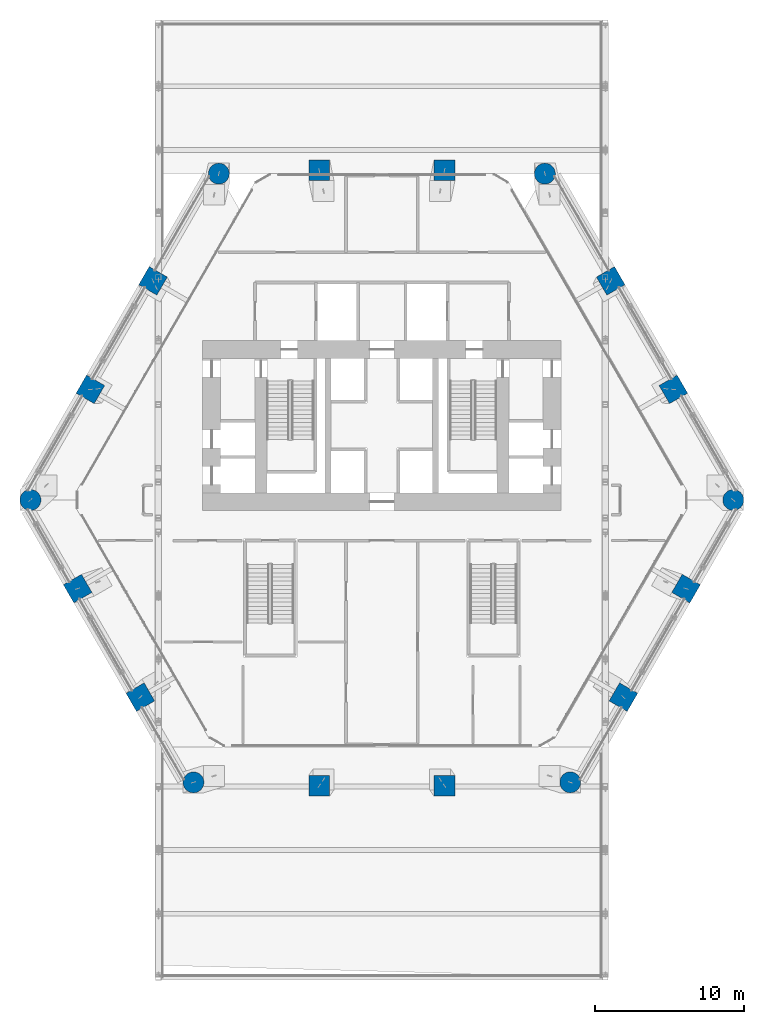
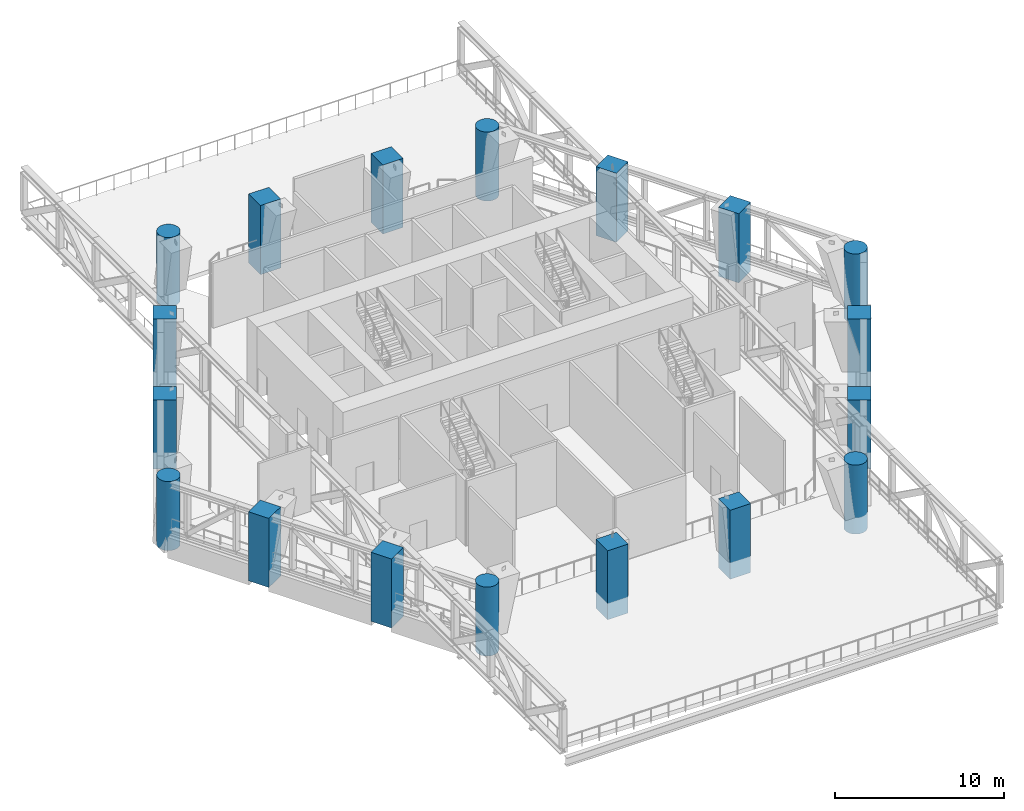
# One storey, part 1 of 20: 18 columns.
"""IFC4 building model written with IfcOpenShell, lengths in metres."""

from ifc_helpers import new_model, si_unit, direction, frame, origin, origin_2d, place, context, subcontext, project, spatial, rectangle, circle, extrude, material, material_profile, profile_set, type_object, element, save


model = new_model("IFC4")

# Units and contexts
model_context = context("Model", 3, precision=1e-05, world=origin(), true_north=direction((0.0, 1.0)))
body_context = subcontext(model_context, "Body", "Model", "MODEL_VIEW")
ifc_project = project(units=[si_unit("LENGTHUNIT", "METRE"), si_unit("AREAUNIT", "SQUARE_METRE"), si_unit("VOLUMEUNIT", "CUBIC_METRE"), si_unit("PLANEANGLEUNIT", "RADIAN"), si_unit("MASSUNIT", "GRAM", prefix="KILO")], contexts=[model_context])

# Site, building, storey
site_placement = place(None, origin())
site = spatial("IfcSite", under=ifc_project, at=site_placement, CompositionType="ELEMENT")
building_placement = place(site_placement, origin())
building = spatial("IfcBuilding", under=site, at=building_placement, Name="Ostrander Bayou Hotel Tower", CompositionType="ELEMENT")
storey_placement = place(building_placement, frame((0.0, 0.0, 80.5)))
storey = spatial("IfcBuildingStorey", under=building, at=storey_placement, Name="L20", CompositionType="ELEMENT", Elevation=80.5)

# Columns
ifc_material_1 = material(Name="Concrete f'c 70 MPa", Category="concrete")
ifc_material_profile_1 = material_profile(ifc_material_1, circle(Radius=0.699951171875, at=origin_2d()))
ifc_profile_set_1 = profile_set([ifc_material_profile_1], Name="Concrete f'c 70 MPa")
column_type_1 = type_object("IfcColumnType", Name="C1 round column 1400 mm f'c 70 MPa", PredefinedType="COLUMN", material=ifc_profile_set_1)
for number, where, z_axis, x_axis, name in (
    (1, (-10.916748046875, 20.872314453125, -1.199951171875), (0.0, 0.0, 1.0), (1.0, 0.0, 0.0), "C1 L20 K0"),
    (2, (-23.5341796875, -0.98193359375, -1.199951171875), (0.0, 0.0, 1.0), (1.0, 0.0, 0.0), "C1 L20 K1"),
    (3, (-12.617431640625, -19.890380859375, -1.199951171875), (0.0, 0.0, 1.0), (1.0, 0.0, 0.0), "C1 L20 K2"),
    (4, (12.617431640625, -19.890380859375, -1.199951171875), (0.0, 0.0, 1.0), (1.0, 0.0, 0.0), "C1 L20 K3"),
    (5, (23.5341796875, -0.98193359375, -1.199951171875), (0.0, 0.0, 1.0), (1.0, 0.0, 0.0), "C1 L20 K4"),
    (6, (10.916748046875, 20.872314453125, -1.199951171875), (0.0, 0.0, 1.0), (1.0, 0.0, 0.0), "C1 L20 K5"),
):
    element("IfcColumn", number, at=place(storey_placement, frame(where, z_axis=z_axis, x_axis=x_axis)), inside=storey, type_object=column_type_1, Name=name, PredefinedType="COLUMN", context=body_context, shape_type="SweptSolid", body=[
        extrude(circle(Radius=0.699951171875, at=origin_2d()), origin(), (0.0, 0.0, 1.0), 5.0),
    ])
ifc_material_2 = material(Name="Concrete f'c 70 MPa", Category="concrete")
ifc_material_profile_2 = material_profile(ifc_material_2, rectangle(XDim=1.39990234375, YDim=1.39990234375, at=origin_2d()))
ifc_profile_set_2 = profile_set([ifc_material_profile_2], Name="Concrete f'c 70 MPa")
column_type_2 = type_object("IfcColumnType", Name="C2 square column 1400 x 1400 mm f'c 70 MPa", PredefinedType="COLUMN", material=ifc_profile_set_2)
for number, where, z_axis, x_axis, name in (
    (7, (4.1953125, 21.10009765625, -1.199951171875), (0.0, 0.0, 1.0), (1.0, 0.0, 0.0), "C2 L20 N1"),
    (8, (-4.1953125, 21.10009765625, -1.199951171875), (0.0, 0.0, 1.0), (1.0, 0.0, 0.0), "C2 L20 N2"),
    (9, (-15.3251953125, 13.6923828125, -1.199951171875), (0.0, 0.0, 1.0), (0.5, 0.866025403784, 0.0), "C2 L20 NW1"),
    (10, (-19.5205078125, 6.42578125, -1.199951171875), (0.0, 0.0, 1.0), (0.5, 0.866025403784, 0.0), "C2 L20 NW2"),
    (11, (-20.370849609375, -6.916748046875, -1.199951171875), (0.0, 0.0, 1.0), (-0.5, 0.866025403784, 0.0), "C2 L20 SW1"),
    (12, (-16.17529296875, -14.183349609375, -1.199951171875), (0.0, 0.0, 1.0), (-0.5, 0.866025403784, 0.0), "C2 L20 SW2"),
    (13, (-4.1953125, -20.1181640625, -1.199951171875), (0.0, 0.0, 1.0), (-1.0, 0.0, 0.0), "C2 L20 S1"),
    (14, (4.1953125, -20.1181640625, -1.199951171875), (0.0, 0.0, 1.0), (-1.0, 0.0, 0.0), "C2 L20 S2"),
    (15, (16.17529296875, -14.183349609375, -1.199951171875), (0.0, 0.0, 1.0), (-0.5, -0.866025403784, 0.0), "C2 L20 SE1"),
    (16, (20.370849609375, -6.916748046875, -1.199951171875), (0.0, 0.0, 1.0), (-0.5, -0.866025403784, 0.0), "C2 L20 SE2"),
    (17, (19.5205078125, 6.42578125, -1.199951171875), (0.0, 0.0, 1.0), (0.5, -0.866025403784, 0.0), "C2 L20 NE1"),
    (18, (15.3251953125, 13.6923828125, -1.199951171875), (0.0, 0.0, 1.0), (0.5, -0.866025403784, 0.0), "C2 L20 NE2"),
):
    element("IfcColumn", number, at=place(storey_placement, frame(where, z_axis=z_axis, x_axis=x_axis)), inside=storey, type_object=column_type_2, Name=name, PredefinedType="COLUMN", context=body_context, shape_type="SweptSolid", body=[
        extrude(rectangle(XDim=1.39990234375, YDim=1.39990234375, at=origin_2d()), origin(), (0.0, 0.0, 1.0), 5.0),
    ])

save(model, "model.ifc")
